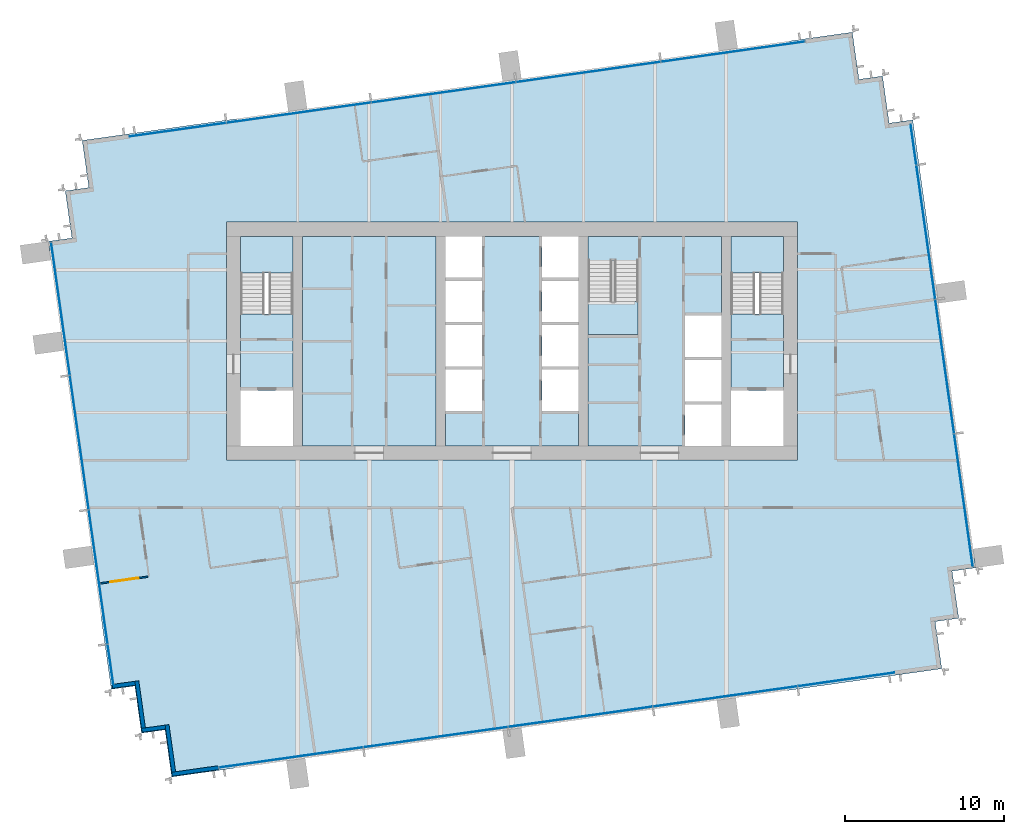
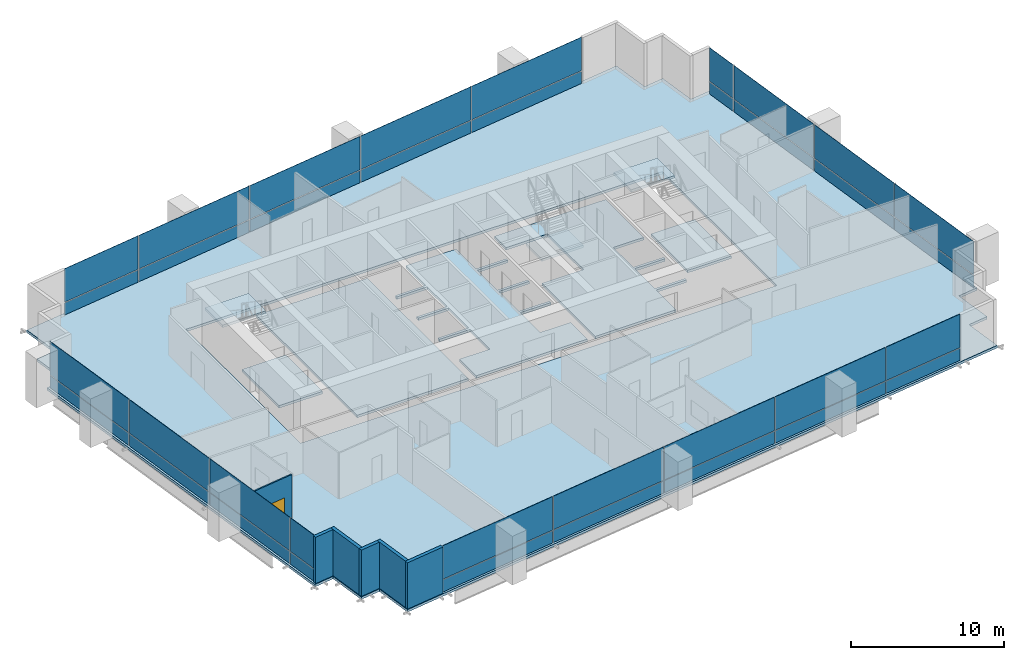
# One storey, part 8 of 14: 36 plates, 9 slabs, 6 walls, 1 window, 1 opening, 7 elements without a shape of their own.
"""IFC4 building model written with IfcOpenShell, lengths in metres."""

from ifc_helpers import new_model, si_unit, direction, frame, frame_2d, origin, origin_2d, place, context, subcontext, project, spatial, polyline, rectangle, outline, extrude, material, layer, layer_set, type_object, element, fill, aggregate, save


model = new_model("IFC4")

# Units and contexts
model_context = context("Model", 3, precision=1e-05, world=origin(), true_north=direction((0.0, 1.0)))
body_context = subcontext(model_context, "Body", "Model", "MODEL_VIEW")
ifc_project = project(units=[si_unit("LENGTHUNIT", "METRE"), si_unit("AREAUNIT", "SQUARE_METRE"), si_unit("VOLUMEUNIT", "CUBIC_METRE"), si_unit("PLANEANGLEUNIT", "RADIAN"), si_unit("MASSUNIT", "GRAM", prefix="KILO")], contexts=[model_context])

# Site, building, storey
site_placement = place(None, origin())
site = spatial("IfcSite", under=ifc_project, at=site_placement, CompositionType="ELEMENT")
building_placement = place(site_placement, origin())
building = spatial("IfcBuilding", under=site, at=building_placement, Name="Rattan Terrace Tower", CompositionType="ELEMENT")
storey_placement = place(building_placement, frame((0.0, 0.0, 172.39990234375)))
storey = spatial("IfcBuildingStorey", under=building, at=storey_placement, Name="L39", CompositionType="ELEMENT", Elevation=172.39990234375)

# Stair, slab
ifc_material_1 = material(Name="Concrete C40/50", Category="concrete")
stair_type = type_object("IfcStairType", Name="Core exit stair 1500", PredefinedType="HALF_TURN_STAIR", material=ifc_material_1)
stair_1_placement = place(storey_placement, origin())
stair_1 = element("IfcStair", 1, at=stair_1_placement, inside=storey, type_object=stair_type, Name="L39 exit stair 1", PredefinedType="HALF_TURN_STAIR")
ifc_material_2 = material(Name="Concrete C40/50", Category="concrete")
ifc_layer_1 = layer(ifc_material_2, 0.199951171875)
ifc_layer_set_1 = layer_set([ifc_layer_1], Name="Core exit stair landing")
slab_type_1 = type_object("IfcSlabType", Name="Core exit stair landing", PredefinedType="LANDING", material=ifc_layer_set_1)
slab_1_placement = place(storey_placement, frame((0.0, 0.0, 1.75)))
slab_1 = element("IfcSlab", 2, at=slab_1_placement, type_object=slab_type_1, Name="S1 landing 1", PredefinedType="LANDING", context=body_context, shape_type="SweptSolid", body=[
    extrude(outline(polyline([(-13.800048828125, 4.300048828125), (-13.800048828125, 6.60009765625), (-17.10009765625, 6.60009765625), (-17.10009765625, 4.300048828125), (-13.800048828125, 4.300048828125)])), origin(), (0.0, 0.0, 1.0), 0.2001953125),
])
aggregate(stair_1, [slab_1])

stair_2_placement = place(storey_placement, origin())
stair_2 = element("IfcStair", 3, at=stair_2_placement, inside=storey, type_object=stair_type, Name="L39 exit stair 2", PredefinedType="HALF_TURN_STAIR")
slab_2_placement = place(storey_placement, frame((0.0, 0.0, 1.75)))
slab_2 = element("IfcSlab", 4, at=slab_2_placement, type_object=slab_type_1, Name="S2 landing 1", PredefinedType="LANDING", context=body_context, shape_type="SweptSolid", body=[
    extrude(outline(polyline([(17.10009765625, 4.300048828125), (17.10009765625, 6.60009765625), (13.800048828125, 6.60009765625), (13.800048828125, 4.300048828125), (17.10009765625, 4.300048828125)])), origin(), (0.0, 0.0, 1.0), 0.2001953125),
])
aggregate(stair_2, [slab_2])

stair_3_placement = place(storey_placement, origin())
stair_3 = element("IfcStair", 5, at=stair_3_placement, inside=storey, type_object=stair_type, Name="L39 exit stair 3", PredefinedType="HALF_TURN_STAIR")
slab_3_placement = place(storey_placement, frame((0.0, 0.0, 1.75)))
slab_3 = element("IfcSlab", 6, at=slab_3_placement, type_object=slab_type_1, Name="S3 landing 1", PredefinedType="LANDING", context=body_context, shape_type="SweptSolid", body=[
    extrude(outline(polyline([(4.800048828125, 2.5), (4.800048828125, 0.39990234375), (7.949951171875, 0.39990234375), (7.949951171875, 2.5), (4.800048828125, 2.5)])), origin(), (0.0, 0.0, 1.0), 0.2001953125),
])
aggregate(stair_3, [slab_3])

# Curtain wall, plates
ifc_material_3 = material(Name="Aluminium and glass", Category="aluminium")
curtain_wall_type = type_object("IfcCurtainWallType", Name="Facade Unitised Curtain Wall", PredefinedType="NOTDEFINED", material=ifc_material_3)
curtain_wall_1_placement = place(storey_placement, origin())
curtain_wall_1 = element("IfcCurtainWall", 7, at=curtain_wall_1_placement, inside=storey, type_object=curtain_wall_type, Name="Curtain wall L39-1", PredefinedType="NOTDEFINED")
ifc_material_4 = material(Name="Aluminium insulated spandrel panel", Category="aluminium")
ifc_layer_2 = layer(ifc_material_4, 0.028076171875)
ifc_layer_set_2 = layer_set([ifc_layer_2], Name="Facade CW Spandrel Panel")
plate_type_1 = type_object("IfcPlateType", Name="Facade CW Spandrel Panel", PredefinedType="CURTAIN_PANEL", material=ifc_layer_set_2)
plate_1_placement = place(storey_placement, frame((28.447509765625, -10.037109375, 0.0), z_axis=(0.0, 0.0, 1.0), x_axis=(-0.139190856006, 0.99026557327, 0.0)))
plate_1 = element("IfcPlate", 8, at=plate_1_placement, type_object=plate_type_1, Name="Panel cwl-L39-001.1.1", PredefinedType="CURTAIN_PANEL", context=body_context, shape_type="SweptSolid", body=[
    extrude(rectangle(XDim=8.4150390625, YDim=0.028076171875, at=origin_2d()), origin(), (0.0, 0.0, 1.0), 0.969970703125),
])
plate_2_placement = place(storey_placement, frame((27.262451171875, -1.607421875, 0.0), z_axis=(0.0, 0.0, 1.0), x_axis=(-0.139190856006, 0.99026557327, 0.0)))
plate_2 = element("IfcPlate", 9, at=plate_2_placement, type_object=plate_type_1, Name="Panel cwl-L39-001.2.1", PredefinedType="CURTAIN_PANEL", context=body_context, shape_type="SweptSolid", body=[
    extrude(rectangle(XDim=8.489990234375, YDim=0.028076171875, at=origin_2d()), origin(), (0.0, 0.0, 1.0), 0.969970703125),
])
plate_3_placement = place(storey_placement, frame((26.072509765625, 6.859375, 0.0), z_axis=(0.0, 0.0, 1.0), x_axis=(-0.139190856006, 0.99026557327, 0.0)))
plate_3 = element("IfcPlate", 10, at=plate_3_placement, type_object=plate_type_1, Name="Panel cwl-L39-001.3.1", PredefinedType="CURTAIN_PANEL", context=body_context, shape_type="SweptSolid", body=[
    extrude(rectangle(XDim=8.489990234375, YDim=0.028076171875, at=origin_2d()), origin(), (0.0, 0.0, 1.0), 0.969970703125),
])
plate_4_placement = place(storey_placement, frame((25.29736328125, 12.372802734375, 0.0), z_axis=(0.0, 0.0, 1.0), x_axis=(-0.139190856006, 0.99026557327, 0.0)))
plate_4 = element("IfcPlate", 11, at=plate_4_placement, type_object=plate_type_1, Name="Panel cwl-L39-001.4.1", PredefinedType="CURTAIN_PANEL", context=body_context, shape_type="SweptSolid", body=[
    extrude(rectangle(XDim=2.525390625, YDim=0.028076171875, at=origin_2d()), origin(), (0.0, 0.0, 1.0), 0.969970703125),
])

curtain_wall_2_placement = place(storey_placement, origin())
curtain_wall_2 = element("IfcCurtainWall", 12, at=curtain_wall_2_placement, inside=storey, type_object=curtain_wall_type, Name="Curtain wall L39-2", PredefinedType="NOTDEFINED")
plate_5_placement = place(storey_placement, frame((13.920166015625, 18.233642578125, 0.0), z_axis=(0.0, 0.0, 1.0), x_axis=(-0.990269702686, -0.139161474347, 0.0)))
plate_5 = element("IfcPlate", 13, at=plate_5_placement, type_object=plate_type_1, Name="Panel cwl-L39-002.1.1", PredefinedType="CURTAIN_PANEL", context=body_context, shape_type="SweptSolid", body=[
    extrude(rectangle(XDim=9.123046875, YDim=0.028076171875, at=origin_2d()), origin(), (0.0, 0.0, 1.0), 0.969970703125),
])
plate_6_placement = place(storey_placement, frame((4.8115234375, 16.95361328125, 0.0), z_axis=(0.0, 0.0, 1.0), x_axis=(-0.990269702686, -0.139161474347, 0.0)))
plate_6 = element("IfcPlate", 14, at=plate_6_placement, type_object=plate_type_1, Name="Panel cwl-L39-002.2.1", PredefinedType="CURTAIN_PANEL", context=body_context, shape_type="SweptSolid", body=[
    extrude(rectangle(XDim=9.153076171875, YDim=0.028076171875, at=origin_2d()), origin(), (0.0, 0.0, 1.0), 0.969970703125),
])
plate_7_placement = place(storey_placement, frame((-4.311767578125, 15.67138671875, 0.0), z_axis=(0.0, 0.0, 1.0), x_axis=(-0.990269702686, -0.139161474347, 0.0)))
plate_7 = element("IfcPlate", 15, at=plate_7_placement, type_object=plate_type_1, Name="Panel cwl-L39-002.3.1", PredefinedType="CURTAIN_PANEL", context=body_context, shape_type="SweptSolid", body=[
    extrude(rectangle(XDim=9.153076171875, YDim=0.028076171875, at=origin_2d()), origin(), (0.0, 0.0, 1.0), 0.969970703125),
])
plate_8_placement = place(storey_placement, frame((-13.43505859375, 14.389404296875, 0.0), z_axis=(0.0, 0.0, 1.0), x_axis=(-0.990269702686, -0.139161474347, 0.0)))
plate_8 = element("IfcPlate", 16, at=plate_8_placement, type_object=plate_type_1, Name="Panel cwl-L39-002.4.1", PredefinedType="CURTAIN_PANEL", context=body_context, shape_type="SweptSolid", body=[
    extrude(rectangle(XDim=9.153076171875, YDim=0.028076171875, at=origin_2d()), origin(), (0.0, 0.0, 1.0), 0.969970703125),
])
plate_9_placement = place(storey_placement, frame((-21.055908203125, 13.318359375, 0.0), z_axis=(0.0, 0.0, 1.0), x_axis=(-0.990269702686, -0.139161474347, 0.0)))
plate_9 = element("IfcPlate", 17, at=plate_9_placement, type_object=plate_type_1, Name="Panel cwl-L39-002.5.1", PredefinedType="CURTAIN_PANEL", context=body_context, shape_type="SweptSolid", body=[
    extrude(rectangle(XDim=6.118408203125, YDim=0.028076171875, at=origin_2d()), origin(), (0.0, 0.0, 1.0), 0.969970703125),
])

curtain_wall_3_placement = place(storey_placement, origin())
curtain_wall_3 = element("IfcCurtainWall", 18, at=curtain_wall_3_placement, inside=storey, type_object=curtain_wall_type, Name="Curtain wall L39-3", PredefinedType="NOTDEFINED")
plate_10_placement = place(storey_placement, frame((-28.447509765625, 2.037109375, 0.0), z_axis=(0.0, 0.0, 1.0), x_axis=(0.139190856006, -0.99026557327, 0.0)))
plate_10 = element("IfcPlate", 19, at=plate_10_placement, type_object=plate_type_1, Name="Panel cwl-L39-003.1.1", PredefinedType="CURTAIN_PANEL", context=body_context, shape_type="SweptSolid", body=[
    extrude(rectangle(XDim=8.4150390625, YDim=0.028076171875, at=origin_2d()), origin(), (0.0, 0.0, 1.0), 0.969970703125),
])
plate_11_placement = place(storey_placement, frame((-27.262451171875, -6.392578125, 0.0), z_axis=(0.0, 0.0, 1.0), x_axis=(0.139190856006, -0.99026557327, 0.0)))
plate_11 = element("IfcPlate", 20, at=plate_11_placement, type_object=plate_type_1, Name="Panel cwl-L39-003.2.1", PredefinedType="CURTAIN_PANEL", context=body_context, shape_type="SweptSolid", body=[
    extrude(rectangle(XDim=8.489990234375, YDim=0.028076171875, at=origin_2d()), origin(), (0.0, 0.0, 1.0), 0.969970703125),
])
plate_12_placement = place(storey_placement, frame((-26.072509765625, -14.859375, 0.0), z_axis=(0.0, 0.0, 1.0), x_axis=(0.139190856006, -0.99026557327, 0.0)))
plate_12 = element("IfcPlate", 21, at=plate_12_placement, type_object=plate_type_1, Name="Panel cwl-L39-003.3.1", PredefinedType="CURTAIN_PANEL", context=body_context, shape_type="SweptSolid", body=[
    extrude(rectangle(XDim=8.489990234375, YDim=0.028076171875, at=origin_2d()), origin(), (0.0, 0.0, 1.0), 0.969970703125),
])
plate_13_placement = place(storey_placement, frame((-25.29736328125, -20.372802734375, 0.0), z_axis=(0.0, 0.0, 1.0), x_axis=(0.139190856006, -0.99026557327, 0.0)))
plate_13 = element("IfcPlate", 22, at=plate_13_placement, type_object=plate_type_1, Name="Panel cwl-L39-003.4.1", PredefinedType="CURTAIN_PANEL", context=body_context, shape_type="SweptSolid", body=[
    extrude(rectangle(XDim=2.525390625, YDim=0.028076171875, at=origin_2d()), origin(), (0.0, 0.0, 1.0), 0.969970703125),
])

curtain_wall_4_placement = place(storey_placement, origin())
curtain_wall_4 = element("IfcCurtainWall", 23, at=curtain_wall_4_placement, inside=storey, type_object=curtain_wall_type, Name="Curtain wall L39-4", PredefinedType="NOTDEFINED")
plate_14_placement = place(storey_placement, frame((-13.920166015625, -26.233642578125, 0.0), z_axis=(0.0, 0.0, 1.0), x_axis=(0.990269702686, 0.139161474347, 0.0)))
plate_14 = element("IfcPlate", 24, at=plate_14_placement, type_object=plate_type_1, Name="Panel cwl-L39-004.1.1", PredefinedType="CURTAIN_PANEL", context=body_context, shape_type="SweptSolid", body=[
    extrude(rectangle(XDim=9.123046875, YDim=0.028076171875, at=origin_2d()), origin(), (0.0, 0.0, 1.0), 0.969970703125),
])
plate_15_placement = place(storey_placement, frame((-4.8115234375, -24.95361328125, 0.0), z_axis=(0.0, 0.0, 1.0), x_axis=(0.990269702686, 0.139161474347, 0.0)))
plate_15 = element("IfcPlate", 25, at=plate_15_placement, type_object=plate_type_1, Name="Panel cwl-L39-004.2.1", PredefinedType="CURTAIN_PANEL", context=body_context, shape_type="SweptSolid", body=[
    extrude(rectangle(XDim=9.153076171875, YDim=0.028076171875, at=origin_2d()), origin(), (0.0, 0.0, 1.0), 0.969970703125),
])
plate_16_placement = place(storey_placement, frame((4.311767578125, -23.67138671875, 0.0), z_axis=(0.0, 0.0, 1.0), x_axis=(0.990269702686, 0.139161474347, 0.0)))
plate_16 = element("IfcPlate", 26, at=plate_16_placement, type_object=plate_type_1, Name="Panel cwl-L39-004.3.1", PredefinedType="CURTAIN_PANEL", context=body_context, shape_type="SweptSolid", body=[
    extrude(rectangle(XDim=9.153076171875, YDim=0.028076171875, at=origin_2d()), origin(), (0.0, 0.0, 1.0), 0.969970703125),
])
plate_17_placement = place(storey_placement, frame((13.43505859375, -22.389404296875, 0.0), z_axis=(0.0, 0.0, 1.0), x_axis=(0.990269702686, 0.139161474347, 0.0)))
plate_17 = element("IfcPlate", 27, at=plate_17_placement, type_object=plate_type_1, Name="Panel cwl-L39-004.4.1", PredefinedType="CURTAIN_PANEL", context=body_context, shape_type="SweptSolid", body=[
    extrude(rectangle(XDim=9.153076171875, YDim=0.028076171875, at=origin_2d()), origin(), (0.0, 0.0, 1.0), 0.969970703125),
])
plate_18_placement = place(storey_placement, frame((21.055908203125, -21.318359375, 0.0), z_axis=(0.0, 0.0, 1.0), x_axis=(0.990269702686, 0.139161474347, 0.0)))
plate_18 = element("IfcPlate", 28, at=plate_18_placement, type_object=plate_type_1, Name="Panel cwl-L39-004.5.1", PredefinedType="CURTAIN_PANEL", context=body_context, shape_type="SweptSolid", body=[
    extrude(rectangle(XDim=6.118408203125, YDim=0.028076171875, at=origin_2d()), origin(), (0.0, 0.0, 1.0), 0.969970703125),
])

# Plate
ifc_material_5 = material(Name="Clear low-iron glass", Category="glass")
ifc_layer_3 = layer(ifc_material_5, 0.028076171875)
ifc_layer_set_3 = layer_set([ifc_layer_3], Name="Facade CW Vision Panel")
plate_type_2 = type_object("IfcPlateType", Name="Facade CW Vision Panel", PredefinedType="CURTAIN_PANEL", material=ifc_layer_set_3)
plate_19_placement = place(storey_placement, frame((28.447509765625, -10.037109375, 1.030029296875), z_axis=(0.0, 0.0, 1.0), x_axis=(-0.139190856006, 0.99026557327, 0.0)))
plate_19 = element("IfcPlate", 29, at=plate_19_placement, type_object=plate_type_2, Name="Panel cwl-L39-001.1.2", PredefinedType="CURTAIN_PANEL", context=body_context, shape_type="SweptSolid", body=[
    extrude(rectangle(XDim=8.4150390625, YDim=0.028076171875, at=origin_2d()), origin(), (0.0, 0.0, 1.0), 2.669921875),
])

plate_20_placement = place(storey_placement, frame((27.262451171875, -1.607421875, 1.030029296875), z_axis=(0.0, 0.0, 1.0), x_axis=(-0.139190856006, 0.99026557327, 0.0)))
plate_20 = element("IfcPlate", 30, at=plate_20_placement, type_object=plate_type_2, Name="Panel cwl-L39-001.2.2", PredefinedType="CURTAIN_PANEL", context=body_context, shape_type="SweptSolid", body=[
    extrude(rectangle(XDim=8.489990234375, YDim=0.028076171875, at=origin_2d()), origin(), (0.0, 0.0, 1.0), 2.669921875),
])

plate_21_placement = place(storey_placement, frame((26.072509765625, 6.859375, 1.030029296875), z_axis=(0.0, 0.0, 1.0), x_axis=(-0.139190856006, 0.99026557327, 0.0)))
plate_21 = element("IfcPlate", 31, at=plate_21_placement, type_object=plate_type_2, Name="Panel cwl-L39-001.3.2", PredefinedType="CURTAIN_PANEL", context=body_context, shape_type="SweptSolid", body=[
    extrude(rectangle(XDim=8.489990234375, YDim=0.028076171875, at=origin_2d()), origin(), (0.0, 0.0, 1.0), 2.669921875),
])

plate_22_placement = place(storey_placement, frame((25.29736328125, 12.372802734375, 1.030029296875), z_axis=(0.0, 0.0, 1.0), x_axis=(-0.139190856006, 0.99026557327, 0.0)))
plate_22 = element("IfcPlate", 32, at=plate_22_placement, type_object=plate_type_2, Name="Panel cwl-L39-001.4.2", PredefinedType="CURTAIN_PANEL", context=body_context, shape_type="SweptSolid", body=[
    extrude(rectangle(XDim=2.525390625, YDim=0.028076171875, at=origin_2d()), origin(), (0.0, 0.0, 1.0), 2.669921875),
])

aggregate(curtain_wall_1, [plate_1, plate_19, plate_2, plate_20, plate_3, plate_21, plate_4, plate_22])

plate_23_placement = place(storey_placement, frame((13.920166015625, 18.233642578125, 1.030029296875), z_axis=(0.0, 0.0, 1.0), x_axis=(-0.990269702686, -0.139161474347, 0.0)))
plate_23 = element("IfcPlate", 33, at=plate_23_placement, type_object=plate_type_2, Name="Panel cwl-L39-002.1.2", PredefinedType="CURTAIN_PANEL", context=body_context, shape_type="SweptSolid", body=[
    extrude(rectangle(XDim=9.123046875, YDim=0.028076171875, at=origin_2d()), origin(), (0.0, 0.0, 1.0), 2.669921875),
])

plate_24_placement = place(storey_placement, frame((4.8115234375, 16.95361328125, 1.030029296875), z_axis=(0.0, 0.0, 1.0), x_axis=(-0.990269702686, -0.139161474347, 0.0)))
plate_24 = element("IfcPlate", 34, at=plate_24_placement, type_object=plate_type_2, Name="Panel cwl-L39-002.2.2", PredefinedType="CURTAIN_PANEL", context=body_context, shape_type="SweptSolid", body=[
    extrude(rectangle(XDim=9.153076171875, YDim=0.028076171875, at=origin_2d()), origin(), (0.0, 0.0, 1.0), 2.669921875),
])

plate_25_placement = place(storey_placement, frame((-4.311767578125, 15.67138671875, 1.030029296875), z_axis=(0.0, 0.0, 1.0), x_axis=(-0.990269702686, -0.139161474347, 0.0)))
plate_25 = element("IfcPlate", 35, at=plate_25_placement, type_object=plate_type_2, Name="Panel cwl-L39-002.3.2", PredefinedType="CURTAIN_PANEL", context=body_context, shape_type="SweptSolid", body=[
    extrude(rectangle(XDim=9.153076171875, YDim=0.028076171875, at=origin_2d()), origin(), (0.0, 0.0, 1.0), 2.669921875),
])

plate_26_placement = place(storey_placement, frame((-13.43505859375, 14.389404296875, 1.030029296875), z_axis=(0.0, 0.0, 1.0), x_axis=(-0.990269702686, -0.139161474347, 0.0)))
plate_26 = element("IfcPlate", 36, at=plate_26_placement, type_object=plate_type_2, Name="Panel cwl-L39-002.4.2", PredefinedType="CURTAIN_PANEL", context=body_context, shape_type="SweptSolid", body=[
    extrude(rectangle(XDim=9.153076171875, YDim=0.028076171875, at=origin_2d()), origin(), (0.0, 0.0, 1.0), 2.669921875),
])

plate_27_placement = place(storey_placement, frame((-21.055908203125, 13.318359375, 1.030029296875), z_axis=(0.0, 0.0, 1.0), x_axis=(-0.990269702686, -0.139161474347, 0.0)))
plate_27 = element("IfcPlate", 37, at=plate_27_placement, type_object=plate_type_2, Name="Panel cwl-L39-002.5.2", PredefinedType="CURTAIN_PANEL", context=body_context, shape_type="SweptSolid", body=[
    extrude(rectangle(XDim=6.118408203125, YDim=0.028076171875, at=origin_2d()), origin(), (0.0, 0.0, 1.0), 2.669921875),
])

aggregate(curtain_wall_2, [plate_5, plate_23, plate_6, plate_24, plate_7, plate_25, plate_8, plate_26, plate_9, plate_27])

plate_28_placement = place(storey_placement, frame((-28.447509765625, 2.037109375, 1.030029296875), z_axis=(0.0, 0.0, 1.0), x_axis=(0.139190856006, -0.99026557327, 0.0)))
plate_28 = element("IfcPlate", 38, at=plate_28_placement, type_object=plate_type_2, Name="Panel cwl-L39-003.1.2", PredefinedType="CURTAIN_PANEL", context=body_context, shape_type="SweptSolid", body=[
    extrude(rectangle(XDim=8.4150390625, YDim=0.028076171875, at=origin_2d()), origin(), (0.0, 0.0, 1.0), 2.669921875),
])

plate_29_placement = place(storey_placement, frame((-27.262451171875, -6.392578125, 1.030029296875), z_axis=(0.0, 0.0, 1.0), x_axis=(0.139190856006, -0.99026557327, 0.0)))
plate_29 = element("IfcPlate", 39, at=plate_29_placement, type_object=plate_type_2, Name="Panel cwl-L39-003.2.2", PredefinedType="CURTAIN_PANEL", context=body_context, shape_type="SweptSolid", body=[
    extrude(rectangle(XDim=8.489990234375, YDim=0.028076171875, at=origin_2d()), origin(), (0.0, 0.0, 1.0), 2.669921875),
])

plate_30_placement = place(storey_placement, frame((-26.072509765625, -14.859375, 1.030029296875), z_axis=(0.0, 0.0, 1.0), x_axis=(0.139190856006, -0.99026557327, 0.0)))
plate_30 = element("IfcPlate", 40, at=plate_30_placement, type_object=plate_type_2, Name="Panel cwl-L39-003.3.2", PredefinedType="CURTAIN_PANEL", context=body_context, shape_type="SweptSolid", body=[
    extrude(rectangle(XDim=8.489990234375, YDim=0.028076171875, at=origin_2d()), origin(), (0.0, 0.0, 1.0), 2.669921875),
])

plate_31_placement = place(storey_placement, frame((-25.29736328125, -20.372802734375, 1.030029296875), z_axis=(0.0, 0.0, 1.0), x_axis=(0.139190856006, -0.99026557327, 0.0)))
plate_31 = element("IfcPlate", 41, at=plate_31_placement, type_object=plate_type_2, Name="Panel cwl-L39-003.4.2", PredefinedType="CURTAIN_PANEL", context=body_context, shape_type="SweptSolid", body=[
    extrude(rectangle(XDim=2.525390625, YDim=0.028076171875, at=origin_2d()), origin(), (0.0, 0.0, 1.0), 2.669921875),
])

aggregate(curtain_wall_3, [plate_10, plate_28, plate_11, plate_29, plate_12, plate_30, plate_13, plate_31])

plate_32_placement = place(storey_placement, frame((-13.920166015625, -26.233642578125, 1.030029296875), z_axis=(0.0, 0.0, 1.0), x_axis=(0.990269702686, 0.139161474347, 0.0)))
plate_32 = element("IfcPlate", 42, at=plate_32_placement, type_object=plate_type_2, Name="Panel cwl-L39-004.1.2", PredefinedType="CURTAIN_PANEL", context=body_context, shape_type="SweptSolid", body=[
    extrude(rectangle(XDim=9.123046875, YDim=0.028076171875, at=origin_2d()), origin(), (0.0, 0.0, 1.0), 2.669921875),
])

plate_33_placement = place(storey_placement, frame((-4.8115234375, -24.95361328125, 1.030029296875), z_axis=(0.0, 0.0, 1.0), x_axis=(0.990269702686, 0.139161474347, 0.0)))
plate_33 = element("IfcPlate", 43, at=plate_33_placement, type_object=plate_type_2, Name="Panel cwl-L39-004.2.2", PredefinedType="CURTAIN_PANEL", context=body_context, shape_type="SweptSolid", body=[
    extrude(rectangle(XDim=9.153076171875, YDim=0.028076171875, at=origin_2d()), origin(), (0.0, 0.0, 1.0), 2.669921875),
])

plate_34_placement = place(storey_placement, frame((4.311767578125, -23.67138671875, 1.030029296875), z_axis=(0.0, 0.0, 1.0), x_axis=(0.990269702686, 0.139161474347, 0.0)))
plate_34 = element("IfcPlate", 44, at=plate_34_placement, type_object=plate_type_2, Name="Panel cwl-L39-004.3.2", PredefinedType="CURTAIN_PANEL", context=body_context, shape_type="SweptSolid", body=[
    extrude(rectangle(XDim=9.153076171875, YDim=0.028076171875, at=origin_2d()), origin(), (0.0, 0.0, 1.0), 2.669921875),
])

plate_35_placement = place(storey_placement, frame((13.43505859375, -22.389404296875, 1.030029296875), z_axis=(0.0, 0.0, 1.0), x_axis=(0.990269702686, 0.139161474347, 0.0)))
plate_35 = element("IfcPlate", 45, at=plate_35_placement, type_object=plate_type_2, Name="Panel cwl-L39-004.4.2", PredefinedType="CURTAIN_PANEL", context=body_context, shape_type="SweptSolid", body=[
    extrude(rectangle(XDim=9.153076171875, YDim=0.028076171875, at=origin_2d()), origin(), (0.0, 0.0, 1.0), 2.669921875),
])

plate_36_placement = place(storey_placement, frame((21.055908203125, -21.318359375, 1.030029296875), z_axis=(0.0, 0.0, 1.0), x_axis=(0.990269702686, 0.139161474347, 0.0)))
plate_36 = element("IfcPlate", 46, at=plate_36_placement, type_object=plate_type_2, Name="Panel cwl-L39-004.5.2", PredefinedType="CURTAIN_PANEL", context=body_context, shape_type="SweptSolid", body=[
    extrude(rectangle(XDim=6.118408203125, YDim=0.028076171875, at=origin_2d()), origin(), (0.0, 0.0, 1.0), 2.669921875),
])

aggregate(curtain_wall_4, [plate_14, plate_32, plate_15, plate_33, plate_16, plate_34, plate_17, plate_35, plate_18, plate_36])

# Slabs
ifc_material_6 = material(Name="Concrete C35/45", Category="concrete")
ifc_layer_4 = layer(ifc_material_6, 0.199951171875)
ifc_layer_set_4 = layer_set([ifc_layer_4], Name="Frame composite floor slab 200")
slab_type_2 = type_object("IfcSlabType", Name="Frame composite floor slab 200", PredefinedType="FLOOR", material=ifc_layer_set_4)
slab_4_placement = place(storey_placement, frame((0.0, 0.0, -0.199951171875)))
element("IfcSlab", 47, at=slab_4_placement, inside=storey, type_object=slab_type_2, Name="Floor slab", PredefinedType="FLOOR", context=body_context, shape_type="SweptSolid", body=[
    extrude(outline(polyline([(-18.472900390625, -27.044921875), (24.10888671875, -21.06103515625), (27.080078125, -20.64306640625), (26.662109375, -17.672119140625), (28.14794921875, -17.464111328125), (27.72998046875, -14.492919921875), (29.216064453125, -14.283935546875), (25.2490234375, 13.93896484375), (23.763916015625, 13.72998046875), (23.345947265625, 16.700927734375), (21.861083984375, 16.491943359375), (21.443115234375, 19.462890625), (18.472900390625, 19.044921875), (-24.10888671875, 13.06103515625), (-27.080078125, 12.64306640625), (-26.662109375, 9.672119140625), (-28.14794921875, 9.464111328125), (-27.72998046875, 6.492919921875), (-29.216064453125, 6.283935546875), (-25.2490234375, -21.93896484375), (-23.763916015625, -21.72998046875), (-23.345947265625, -24.700927734375), (-21.861083984375, -24.491943359375), (-21.443115234375, -27.462890625), (-18.472900390625, -27.044921875)]), holes=[polyline([(-18.0, -7.5), (18.0, -7.5), (18.0, -6.60009765625), (18.0, 6.60009765625), (18.0, 7.5), (-18.0, 7.5), (-18.0, 6.60009765625), (-18.0, -6.60009765625), (-18.0, -7.5)])]), origin(), (0.0, 0.0, 1.0), 0.199951171875),
])
slab_5_placement = place(storey_placement, frame((0.0, 0.0, -0.199951171875)))
element("IfcSlab", 48, at=slab_5_placement, inside=storey, type_object=slab_type_2, Name="Floor slab", PredefinedType="FLOOR", context=body_context, shape_type="SweptSolid", body=[
    extrude(outline(polyline([(13.199951171875, 6.60009765625), (4.800048828125, 6.60009765625), (4.800048828125, 5.090087890625), (7.949951171875, 5.090087890625), (7.949951171875, 0.39990234375), (4.800048828125, 0.39990234375), (4.800048828125, -6.60009765625), (10.89990234375, -6.60009765625), (10.89990234375, -4.0), (13.199951171875, -4.0), (13.199951171875, -3.800048828125), (10.89990234375, -3.800048828125), (10.89990234375, -1.199951171875), (13.199951171875, -1.199951171875), (13.199951171875, -1.0), (10.89990234375, -1.0), (10.89990234375, 1.60009765625), (13.199951171875, 1.60009765625), (13.199951171875, 6.60009765625)])), origin(), (0.0, 0.0, 1.0), 0.199951171875),
])
slab_6_placement = place(storey_placement, frame((0.0, 0.0, -0.199951171875)))
element("IfcSlab", 49, at=slab_6_placement, inside=storey, type_object=slab_type_2, Name="Floor slab", PredefinedType="FLOOR", context=body_context, shape_type="SweptSolid", body=[
    extrude(outline(polyline([(1.89990234375, 6.60009765625), (-1.89990234375, 6.60009765625), (-1.89990234375, 4.0), (-4.199951171875, 4.0), (-4.199951171875, 3.800048828125), (-1.89990234375, 3.800048828125), (-1.89990234375, 1.199951171875), (-4.199951171875, 1.199951171875), (-4.199951171875, 1.0), (-1.89990234375, 1.0), (-1.89990234375, -1.60009765625), (-4.199951171875, -1.60009765625), (-4.199951171875, -1.800048828125), (-1.89990234375, -1.800048828125), (-1.89990234375, -4.39990234375), (-4.199951171875, -4.39990234375), (-4.199951171875, -6.60009765625), (4.199951171875, -6.60009765625), (4.199951171875, -4.39990234375), (1.89990234375, -4.39990234375), (1.89990234375, -1.800048828125), (4.199951171875, -1.800048828125), (4.199951171875, -1.60009765625), (1.89990234375, -1.60009765625), (1.89990234375, 1.0), (4.199951171875, 1.0), (4.199951171875, 1.199951171875), (1.89990234375, 1.199951171875), (1.89990234375, 3.800048828125), (4.199951171875, 3.800048828125), (4.199951171875, 4.0), (1.89990234375, 4.0), (1.89990234375, 6.60009765625)])), origin(), (0.0, 0.0, 1.0), 0.199951171875),
])
slab_7_placement = place(storey_placement, frame((0.0, 0.0, -0.199951171875)))
element("IfcSlab", 50, at=slab_7_placement, inside=storey, type_object=slab_type_2, Name="Floor slab", PredefinedType="FLOOR", context=body_context, shape_type="SweptSolid", body=[
    extrude(outline(polyline([(-17.10009765625, -3.10009765625), (-13.800048828125, -3.10009765625), (-13.800048828125, 1.7099609375), (-17.10009765625, 1.7099609375), (-17.10009765625, -3.10009765625)])), origin(), (0.0, 0.0, 1.0), 0.199951171875),
])
slab_8_placement = place(storey_placement, frame((0.0, 0.0, -0.199951171875)))
element("IfcSlab", 51, at=slab_8_placement, inside=storey, type_object=slab_type_2, Name="Floor slab", PredefinedType="FLOOR", context=body_context, shape_type="SweptSolid", body=[
    extrude(outline(polyline([(-4.800048828125, -6.60009765625), (-4.800048828125, 6.60009765625), (-13.199951171875, 6.60009765625), (-13.199951171875, -6.60009765625), (-4.800048828125, -6.60009765625)])), origin(), (0.0, 0.0, 1.0), 0.199951171875),
])
slab_9_placement = place(storey_placement, frame((0.0, 0.0, -0.199951171875)))
element("IfcSlab", 52, at=slab_9_placement, inside=storey, type_object=slab_type_2, Name="Floor slab", PredefinedType="FLOOR", context=body_context, shape_type="SweptSolid", body=[
    extrude(outline(polyline([(13.800048828125, -3.10009765625), (17.10009765625, -3.10009765625), (17.10009765625, 1.7099609375), (13.800048828125, 1.7099609375), (13.800048828125, -3.10009765625)])), origin(), (0.0, 0.0, 1.0), 0.199951171875),
])

# Walls
ifc_material_7 = material(Name="Insulated aluminium-clad stud wall", Category="aluminium")
ifc_layer_5 = layer(ifc_material_7, 0.25)
ifc_layer_set_5 = layer_set([ifc_layer_5], Name="Facade Riser Wall 250")
wall_type_1 = type_object("IfcWallType", Name="Facade Riser Wall 250", PredefinedType="SOLIDWALL", material=ifc_layer_set_5)
wall_1_placement = place(storey_placement, frame((-25.18359375, -21.758056640625, 0.0), z_axis=(0.0, 0.0, 1.0), x_axis=(0.9902493448, 0.13930626376, 0.0)))
element("IfcWall", 53, at=wall_1_placement, inside=storey, type_object=wall_type_1, Name="Riser wall L39-16", PredefinedType="SOLIDWALL", context=body_context, shape_type="SweptSolid", body=[
    extrude(rectangle(XDim=1.45458984375, YDim=0.25, at=frame_2d((0.727294921875, 0.0))), origin(), (0.0, 0.0, 1.0), 3.7001953125),
])
wall_2_placement = place(storey_placement, frame((-23.63671875, -21.414306640625, 0.0), z_axis=(0.0, 0.0, 1.0), x_axis=(0.139313431826, -0.990248336385, 0.0)))
element("IfcWall", 54, at=wall_2_placement, inside=storey, type_object=wall_type_1, Name="Riser wall L39-17", PredefinedType="SOLIDWALL", context=body_context, shape_type="SweptSolid", body=[
    extrude(rectangle(XDim=3.000244140625, YDim=0.25, at=frame_2d((1.5, 0.0))), origin(), (0.0, 0.0, 1.0), 3.7001953125),
])
wall_3_placement = place(storey_placement, frame((-23.3251953125, -24.5263671875, 0.0), z_axis=(0.0, 0.0, 1.0), x_axis=(0.990243596651, 0.13934711799, 0.0)))
element("IfcWall", 55, at=wall_3_placement, inside=storey, type_object=wall_type_1, Name="Riser wall L39-18", PredefinedType="SOLIDWALL", context=body_context, shape_type="SweptSolid", body=[
    extrude(rectangle(XDim=1.499755859375, YDim=0.25, at=frame_2d((0.75, 0.0))), origin(), (0.0, 0.0, 1.0), 3.7001953125),
])
wall_4_placement = place(storey_placement, frame((-21.733642578125, -24.17626953125, 0.0), z_axis=(0.0, 0.0, 1.0), x_axis=(0.139313431826, -0.990248336385, 0.0)))
element("IfcWall", 56, at=wall_4_placement, inside=storey, type_object=wall_type_1, Name="Riser wall L39-19", PredefinedType="SOLIDWALL", context=body_context, shape_type="SweptSolid", body=[
    extrude(rectangle(XDim=3.000244140625, YDim=0.25, at=frame_2d((1.5, 0.0))), origin(), (0.0, 0.0, 1.0), 3.7001953125),
])
wall_5_placement = place(storey_placement, frame((-21.422119140625, -27.288330078125, 0.0), z_axis=(0.0, 0.0, 1.0), x_axis=(0.990246427036, 0.139327002919, 0.0)))
element("IfcWall", 57, at=wall_5_placement, inside=storey, type_object=wall_type_1, Name="Riser wall L39-20", PredefinedType="SOLIDWALL", context=body_context, shape_type="SweptSolid", body=[
    extrude(rectangle(XDim=2.954345703125, YDim=0.25, at=frame_2d((1.47705078125, 0.0))), origin(), (0.0, 0.0, 1.0), 3.7001953125),
])

# Wall, opening, window
ifc_material_8 = material(Name="Gypsum board partition on steel studs", Category="steel")
ifc_layer_6 = layer(ifc_material_8, 0.10009765625)
ifc_layer_set_6 = layer_set([ifc_layer_6], Name="Floors Partition 100")
wall_type_2 = type_object("IfcWallType", Name="Floors Partition 100", PredefinedType="PARTITIONING", material=ifc_layer_set_6)
wall_6_placement = place(storey_placement, frame((-25.925048828125, -15.263916015625, 0.0), z_axis=(0.0, 0.0, 1.0), x_axis=(0.990300981683, 0.138938711948, 0.0)))
wall_6 = element("IfcWall", 58, at=wall_6_placement, inside=storey, type_object=wall_type_2, Name="pt-L39-024", PredefinedType="PARTITIONING", context=body_context, shape_type="SweptSolid", body=[
    extrude(rectangle(XDim=3.029296875, YDim=0.10009765625, at=frame_2d((1.5146484375, 0.0))), origin(), (0.0, 0.0, 1.0), 3.7001953125),
])
opening_placement = place(wall_6_placement, frame((0.614990234375, 0.0, 0.89990234375)))
opening = element("IfcOpeningElement", 59, at=opening_placement, cuts=wall_6, Name="Opening L39-W100", PredefinedType="OPENING", context=body_context, shape_type="SweptSolid", body=[
    extrude(rectangle(XDim=1.800048828125, YDim=1.199951171875, at=frame_2d((0.89990234375, 0.60009765625))), frame((0.0, 0.060546875, 0.0), z_axis=(0.0, -1.0, 0.0), x_axis=(1.0, 0.0, 0.0)), (0.0, 0.0, 1.0), 0.12109375),
])
ifc_material_9 = material(Name="Glass, clear, fixed in aluminium frame", Category="aluminium")
window_type = type_object("IfcWindowType", Name="Interior Vision Window 1800x1200", PartitioningType="SINGLE_PANEL", PredefinedType="WINDOW", material=ifc_material_9)
window_placement = place(opening_placement, origin())
window = element("IfcWindow", 60, at=window_placement, inside=storey, type_object=window_type, Name="w-L39-100", OverallHeight=1.199951171875, OverallWidth=1.800048828125, PartitioningType="SINGLE_PANEL", PredefinedType="WINDOW", context=body_context, shape_type="SweptSolid", body=[
    extrude(rectangle(XDim=1.800048828125, YDim=1.199951171875, at=frame_2d((0.89990234375, 0.60009765625))), frame((0.0, 0.030029296875, 0.0), z_axis=(0.0, -1.0, 0.0), x_axis=(1.0, 0.0, 0.0)), (0.0, 0.0, 1.0), 0.06005859375),
])
fill(opening, window)

save(model, "model.ifc")
